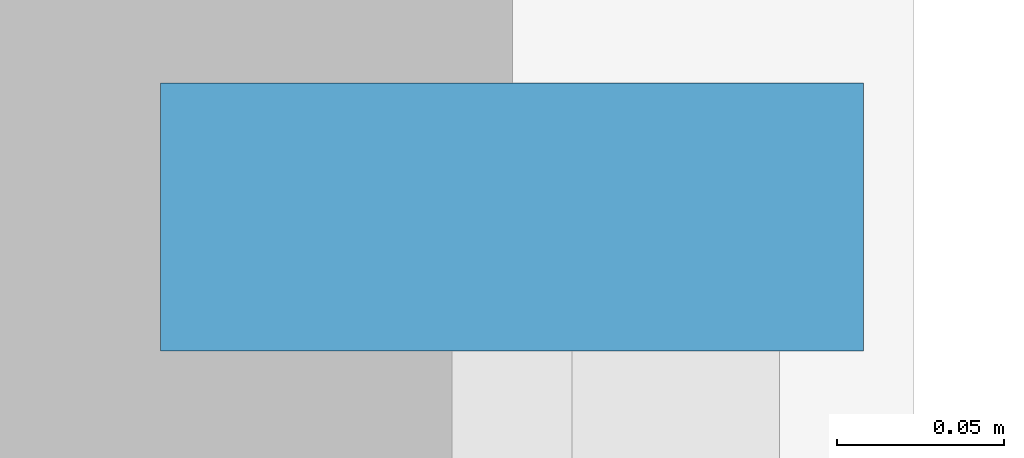
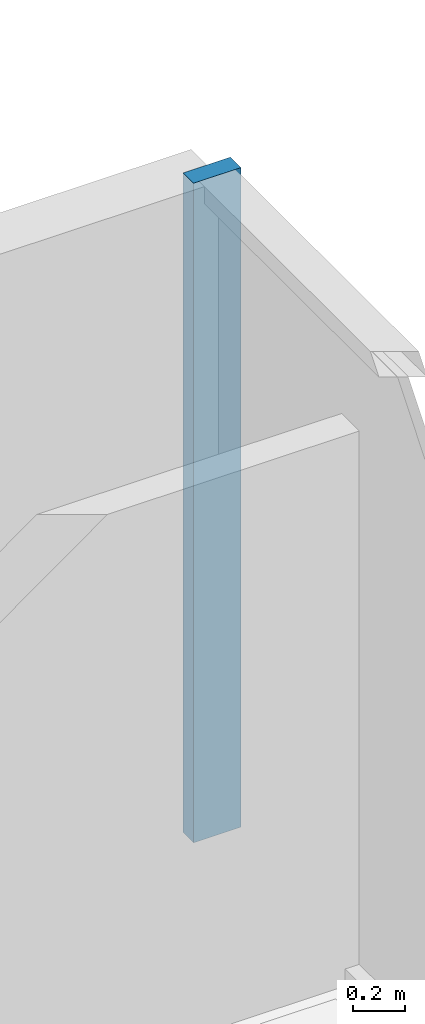
# One storey, part 5 of 12: 1 member, 1 element without a shape of its own.
"""IFC4 building model written with IfcOpenShell, lengths in metres."""

import ifcopenshell
import ifcopenshell.guid

model = None  # the IFC model being written
_history = None  # IfcOwnerHistory: only IFC2X3 demands one
_inside = {}  # id of a spatial element -> (the spatial element, [elements in it])
_under = {}  # id of a project, library or spatial element -> (it, [spatial elements below it])
_declared = {}  # id of a project -> (the project, [libraries it declares])
_typed = {}  # id of a type object -> (the type object, [elements of that type])
_made_of = {}  # id of a material, layer set ... -> (it, [elements and type objects made of it])


def new_model(schema):
    """Start an empty IFC model of exactly this schema.

    Asked for "IFC4X3", IfcOpenShell would pick the latest addendum, in which some entities
    have other attributes; the version numbers below select the first issue.
    IFC2X3 requires an IfcOwnerHistory on every rooted entity: one is made here for all.
    """
    global model, _history
    if schema == "IFC4X3":
        model = ifcopenshell.file(schema_version=(4, 3, 0, 0))
    else:
        model = ifcopenshell.file(schema=schema)
    _inside.clear()
    _under.clear()
    _declared.clear()
    _typed.clear()
    _made_of.clear()
    _history = None
    if model.schema == "IFC2X3":
        org = make("IfcOrganization", Name="unknown")
        user = make(
            "IfcPersonAndOrganization",
            ThePerson=make("IfcPerson", FamilyName="unknown"),
            TheOrganization=org,
        )
        app = make(
            "IfcApplication",
            ApplicationDeveloper=org,
            Version="unknown",
            ApplicationFullName="unknown",
            ApplicationIdentifier="unknown",
        )
        _history = make(
            "IfcOwnerHistory",
            OwningUser=user,
            OwningApplication=app,
            ChangeAction="ADDED",
            CreationDate=0,
        )
    return model


def make(cls, **values):
    """One entity of the class cls with the attributes given. An attribute that is None is left unset."""
    return model.create_entity(
        cls, **{name: value for name, value in values.items() if value is not None}
    )


def rooted(cls, **values):
    """An entity with a GlobalId (a new one), such as an element, a storey or a relation."""
    return make(cls, GlobalId=ifcopenshell.guid.new(), OwnerHistory=_history, **values)


def si_unit(unit_type, name, prefix=None):
    """IfcSIUnit, for example si_unit("LENGTHUNIT", "METRE", prefix="MILLI")."""
    return make("IfcSIUnit", UnitType=unit_type, Prefix=prefix, Name=name)


def assignment(units):
    """IfcUnitAssignment: the units of a project."""
    return None if units is None else make("IfcUnitAssignment", Units=units)


def point(xyz):
    """IfcCartesianPoint."""
    return None if xyz is None else make("IfcCartesianPoint", Coordinates=xyz)


def direction(xyz):
    """IfcDirection."""
    return None if xyz is None else make("IfcDirection", DirectionRatios=xyz)


def frame(location, z_axis=None, x_axis=None):
    """IfcAxis2Placement3D, a coordinate frame: its origin and axes. An axis left out is left unset."""
    return make(
        "IfcAxis2Placement3D",
        Location=point(location),
        Axis=direction(z_axis),
        RefDirection=direction(x_axis),
    )


def frame_2d(location, x_axis=None):
    """IfcAxis2Placement2D, a coordinate frame in the plane: its origin and x axis."""
    return make(
        "IfcAxis2Placement2D", Location=point(location), RefDirection=direction(x_axis)
    )


def origin():
    """The frame at (0, 0, 0) with its axes left unset."""
    return frame((0.0, 0.0, 0.0))


def origin_2d():
    """The frame at (0, 0) in the plane with its x axis left unset."""
    return frame_2d((0.0, 0.0))


def place(relative_to, where):
    """IfcLocalPlacement: puts the frame where relative to a parent placement (None: the world)."""
    return make(
        "IfcLocalPlacement", PlacementRelTo=relative_to, RelativePlacement=where
    )


def context(
    kind, dimensions, precision=None, world=None, true_north=None, identifier=None
):
    """IfcGeometricRepresentationContext, for example the 3D "Model" context."""
    return make(
        "IfcGeometricRepresentationContext",
        ContextIdentifier=identifier,
        ContextType=kind,
        CoordinateSpaceDimension=dimensions,
        Precision=precision,
        WorldCoordinateSystem=world,
        TrueNorth=true_north,
    )


def subcontext(parent, identifier, kind, view, scale=None):
    """IfcGeometricRepresentationSubContext, for example "Body" below "Model"."""
    return make(
        "IfcGeometricRepresentationSubContext",
        ContextIdentifier=identifier,
        ContextType=kind,
        ParentContext=parent,
        TargetScale=scale,
        TargetView=view,
    )


def project(units=None, contexts=None):
    """IfcProject with its units and contexts."""
    return rooted(
        "IfcProject",
        Name="project",
        RepresentationContexts=contexts,
        UnitsInContext=assignment(units),
    )


def spatial(cls, under=None, at=None, **own):
    """A site, building, storey or space (cls), placed at a placement, below another one or the project."""
    s = rooted(cls, ObjectPlacement=at, **own)
    if under is not None:
        _under.setdefault(under.id(), (under, []))[1].append(s)
    return s


def profile(cls, at=None, kind="AREA", **sizes):
    """A parametric profile (cls). Its sizes go by their IFC names, for example OverallWidth=200.0."""
    return make(cls, ProfileType=kind, Position=at, **sizes)


def rectangle(**sizes):
    """IfcRectangleProfileDef."""
    return profile("IfcRectangleProfileDef", **sizes)


def extrude(swept, where, along, depth):
    """IfcExtrudedAreaSolid: the profile swept, set in the frame where, extruded along a direction by depth."""
    return make(
        "IfcExtrudedAreaSolid",
        SweptArea=swept,
        Position=where,
        ExtrudedDirection=direction(along),
        Depth=depth,
    )


def shape(context_of_items, identifier, shape_type, items):
    """IfcShapeRepresentation: the items that make up one representation, for example the "Body"."""
    return make(
        "IfcShapeRepresentation",
        ContextOfItems=context_of_items,
        RepresentationIdentifier=identifier,
        RepresentationType=shape_type,
        Items=items,
    )


def source(mapping_origin, context_of_items, identifier, shape_type, items):
    """IfcRepresentationMap: a shape defined once, which mapped items show again and again."""
    return make(
        "IfcRepresentationMap",
        MappingOrigin=mapping_origin,
        MappedRepresentation=shape(context_of_items, identifier, shape_type, items),
    )


def transform(
    local_origin,
    x_axis=None,
    y_axis=None,
    z_axis=None,
    scale=None,
    scale2=None,
    scale3=None,
    uniform=True,
):
    """IfcCartesianTransformationOperator3D, or its non-uniform kind. x_axis, y_axis, z_axis: its Axis1, 2, 3."""
    if uniform:
        return make(
            "IfcCartesianTransformationOperator3D",
            Axis1=direction(x_axis),
            Axis2=direction(y_axis),
            LocalOrigin=point(local_origin),
            Scale=scale,
            Axis3=direction(z_axis),
        )
    return make(
        "IfcCartesianTransformationOperator3DnonUniform",
        Axis1=direction(x_axis),
        Axis2=direction(y_axis),
        LocalOrigin=point(local_origin),
        Scale=scale,
        Axis3=direction(z_axis),
        Scale2=scale2,
        Scale3=scale3,
    )


def mapped(mapping_source, mapping_target):
    """IfcMappedItem: shows the shape of a source again, moved by a transform."""
    return make(
        "IfcMappedItem", MappingSource=mapping_source, MappingTarget=mapping_target
    )


def material(Name=None, Category=None):
    """IfcMaterial."""
    return make("IfcMaterial", Name=Name, Category=Category)


def layer(
    of_material, thickness, ventilated=None, Name=None, Category=None, Priority=None
):
    """IfcMaterialLayer: one layer of a wall or slab, of a material (None: an air gap)."""
    return make(
        "IfcMaterialLayer",
        Material=of_material,
        LayerThickness=thickness,
        IsVentilated=ventilated,
        Name=Name,
        Category=Category,
        Priority=Priority,
    )


def layer_set(layers, Name=None):
    """IfcMaterialLayerSet."""
    return make("IfcMaterialLayerSet", MaterialLayers=layers, LayerSetName=Name)


def material_profile(
    of_material, cross_section, Name=None, Category=None, Priority=None
):
    """IfcMaterialProfile: a cross section and its material."""
    return make(
        "IfcMaterialProfile",
        Name=Name,
        Material=of_material,
        Profile=cross_section,
        Priority=Priority,
        Category=Category,
    )


def profile_set(profiles, Name=None, composite=None):
    """IfcMaterialProfileSet."""
    return make(
        "IfcMaterialProfileSet",
        Name=Name,
        MaterialProfiles=profiles,
        CompositeProfile=composite,
    )


def made_of(thing, what):
    """Note that an element or type object is made of a material, layer set ...; save() writes the relation."""
    if what is not None:
        _made_of.setdefault(what.id(), (what, []))[1].append(thing)
    return thing


def type_object(cls, material=None, **own):
    """A type object (cls), such as IfcWallType, which elements share."""
    return made_of(rooted(cls, **own), material)


def element(
    cls,
    number,
    at=None,
    inside=None,
    cuts=None,
    type_object=None,
    material=None,
    context=None,
    identifier="Body",
    shape_type=None,
    held_by="IfcProductDefinitionShape",
    body=None,
    shapes=None,
    **own,
):
    """One element of the class cls, such as IfcWall. Its Tag is "e" and its number.

    at: its placement. inside: the storey or other place that contains it. cuts: it is an
    opening in that element (IfcRelVoidsElement). A single representation is given by context,
    identifier, shape_type and body (its items); several are given by shapes. held_by: the class
    of the entity that holds the representations. save() writes the other relations.
    """
    e = rooted(cls, Tag="e%d" % number, ObjectPlacement=at, **own)
    if body is not None:
        shapes = [shape(context, identifier, shape_type, body)]
    if shapes is not None:
        e.Representation = make(held_by, Representations=shapes)
    if inside is not None:
        _inside.setdefault(inside.id(), (inside, []))[1].append(e)
    if cuts is not None:
        rooted(
            "IfcRelVoidsElement", RelatingBuildingElement=cuts, RelatedOpeningElement=e
        )
    if type_object is not None:
        _typed.setdefault(type_object.id(), (type_object, []))[1].append(e)
    return made_of(e, material)


def aggregate(whole, parts):
    """IfcRelAggregates: a whole, such as a stair, and the parts it consists of."""
    return rooted("IfcRelAggregates", RelatingObject=whole, RelatedObjects=parts)


def save(model, path):
    """Write the relations noted so far, then the file.

    IfcRelAggregates (storeys below a building ...), IfcRelContainedInSpatialStructure (elements
    in a storey), IfcRelDefinesByType, IfcRelAssociatesMaterial and IfcRelDeclares: one each for
    every whole, place, type object, material and project.
    """
    for whole, parts in _under.values():
        aggregate(whole, parts)
    for where, things in _inside.values():
        rooted(
            "IfcRelContainedInSpatialStructure",
            RelatedElements=things,
            RelatingStructure=where,
        )
    for kind, things in _typed.values():
        rooted("IfcRelDefinesByType", RelatedObjects=things, RelatingType=kind)
    for what, things in _made_of.values():
        rooted("IfcRelAssociatesMaterial", RelatedObjects=things, RelatingMaterial=what)
    for by, libraries in _declared.values():
        rooted("IfcRelDeclares", RelatingContext=by, RelatedDefinitions=libraries)
    model.write(path)


model = new_model("IFC4")

# Units and contexts
model_context = context("Model", 3, precision=1e-05, world=origin(), true_north=direction((0.0, 1.0)))
body_context = subcontext(model_context, "Body", "Model", "MODEL_VIEW")
ifc_project = project(units=[si_unit("LENGTHUNIT", "METRE"), si_unit("AREAUNIT", "SQUARE_METRE"), si_unit("VOLUMEUNIT", "CUBIC_METRE"), si_unit("PLANEANGLEUNIT", "RADIAN"), si_unit("MASSUNIT", "GRAM", prefix="KILO")], contexts=[model_context])

# Site, building, storey
site_placement = place(None, origin())
site = spatial("IfcSite", under=ifc_project, at=site_placement, CompositionType="ELEMENT")
building_placement = place(site_placement, origin())
building = spatial("IfcBuilding", under=site, at=building_placement, Name="Qianlan Lanfeng Residences", CompositionType="ELEMENT")
storey_placement = place(building_placement, frame((0.0, 0.0, 47.300048828125)))
storey = spatial("IfcBuildingStorey", under=building, at=storey_placement, Name="L12", CompositionType="ELEMENT", Elevation=47.300048828125)

# Curtain wall, member
ifc_material = material(Name="Anodised Bronze Aluminium 6063-T6", Category="aluminium")
ifc_layer = layer(ifc_material, 0.219970703125)
ifc_layer_set = layer_set([ifc_layer], Name="Anodised Bronze Aluminium 6063-T6")
curtain_wall_type = type_object("IfcCurtainWallType", Name="CW-02", PredefinedType="NOTDEFINED", material=ifc_layer_set)
curtain_wall_placement = place(storey_placement, origin())
curtain_wall = element("IfcCurtainWall", 1, at=curtain_wall_placement, inside=storey, type_object=curtain_wall_type, Name="L12 Unitised Curtain Wall CWR-L12-05 (CW-02)", PredefinedType="NOTDEFINED")
ifc_material_profile = material_profile(ifc_material, rectangle(XDim=0.080078125, YDim=0.2099609375, at=origin_2d()), Name="ALU MULLION 80x210")
ifc_profile_set = profile_set([ifc_material_profile], Name="Anodised Bronze Aluminium 6063-T6")
member_type = type_object("IfcMemberType", Name="CWM-220", PredefinedType="MULLION", material=ifc_profile_set)
shared_shape = source(origin(), body_context, "Body", "SweptSolid", [
    extrude(rectangle(XDim=0.080078125, YDim=0.2099609375, at=origin_2d()), origin(), (0.0, 0.0, 1.0), 3.079833984375),
])
member_placement = place(storey_placement, frame((52.8798828125, 34.889892578125, 0.0), z_axis=(0.0, 0.0, 1.0), x_axis=(0.0, 1.0, 0.0)))
member = element("IfcMember", 2, at=member_placement, type_object=member_type, Name="CWR-L12-05 Mullion 3", PredefinedType="MULLION", context=body_context, shape_type="MappedRepresentation", body=[
    mapped(shared_shape, transform((0.0, 0.0, 0.0), scale=1.0)),
])
aggregate(curtain_wall, [member])

save(model, "model.ifc")
